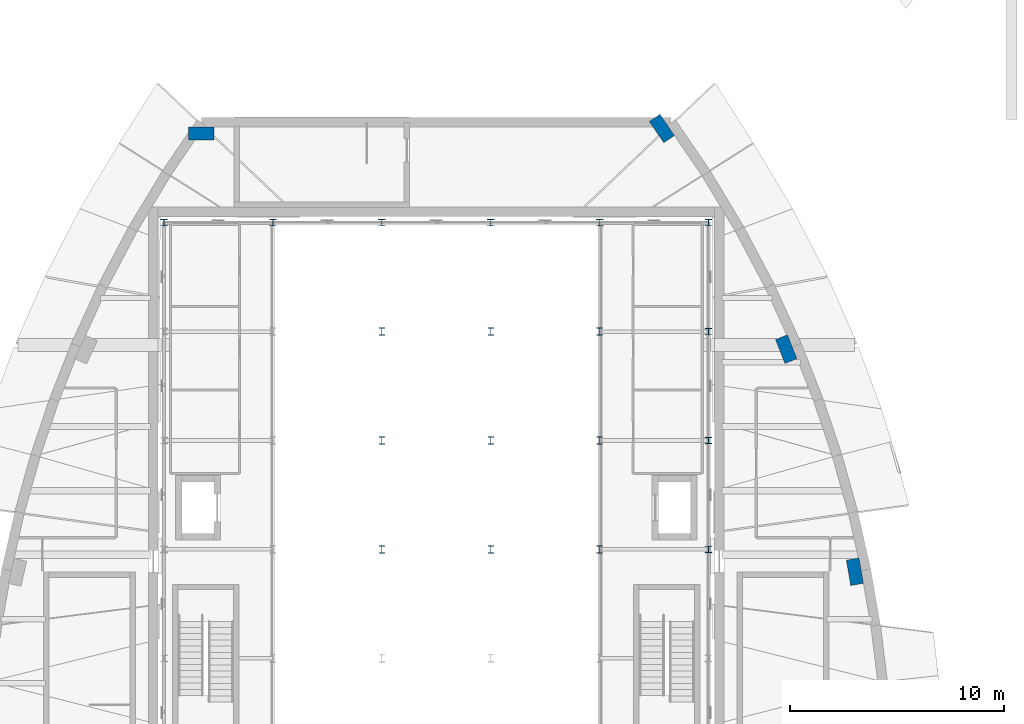
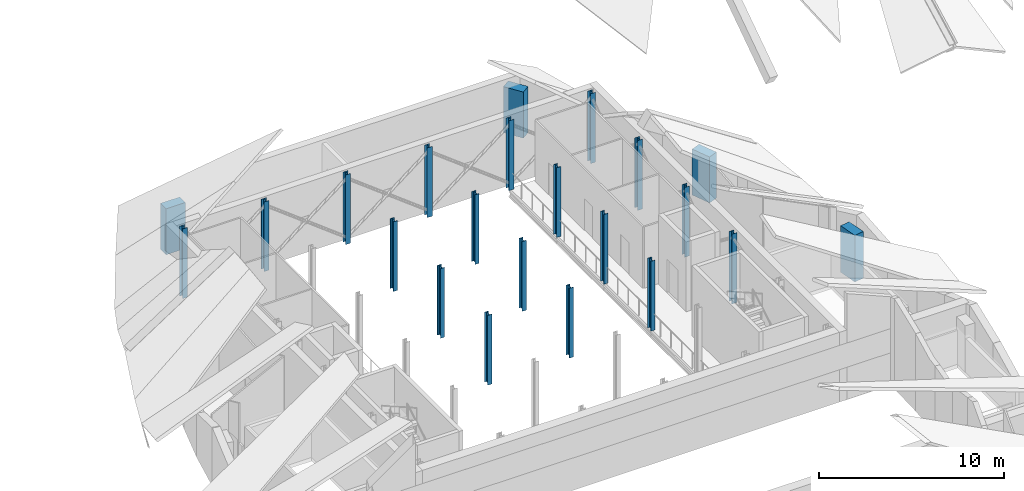
# One storey, part 4 of 17: 22 columns.
"""IFC4 building model written with IfcOpenShell, lengths in metres."""

from ifc_helpers import new_model, si_unit, direction, frame, origin, origin_2d, place, context, subcontext, project, spatial, rectangle, i_section, extrude, material, material_profile, profile_set, type_object, element, save


model = new_model("IFC4")

# Units and contexts
model_context = context("Model", 3, precision=1e-05, world=origin(), true_north=direction((0.0, 1.0)))
body_context = subcontext(model_context, "Body", "Model", "MODEL_VIEW")
ifc_project = project(units=[si_unit("LENGTHUNIT", "METRE"), si_unit("AREAUNIT", "SQUARE_METRE"), si_unit("VOLUMEUNIT", "CUBIC_METRE"), si_unit("PLANEANGLEUNIT", "RADIAN"), si_unit("MASSUNIT", "GRAM", prefix="KILO")], contexts=[model_context])

# Site, building, storey
site_placement = place(None, origin())
site = spatial("IfcSite", under=ifc_project, at=site_placement, CompositionType="ELEMENT")
building_placement = place(site_placement, origin())
building = spatial("IfcBuilding", under=site, at=building_placement, Name="Tide Square Theatres", CompositionType="ELEMENT")
storey_placement = place(building_placement, frame((0.0, 0.0, 14.800048828125)))
storey = spatial("IfcBuildingStorey", under=building, at=storey_placement, Name="L03", CompositionType="ELEMENT", Elevation=14.800048828125)

# Columns
ifc_material_1 = material(Name="Concrete C40", Category="concrete")
ifc_material_profile_1 = material_profile(ifc_material_1, rectangle(XDim=1.199951171875, YDim=0.60009765625, at=origin_2d()))
ifc_profile_set_1 = profile_set([ifc_material_profile_1], Name="Concrete C40")
column_type_1 = type_object("IfcColumnType", Name="RC pier 1200 x 600", PredefinedType="PILASTER", material=ifc_profile_set_1)
column_1_placement = place(storey_placement, frame((103.556884765625, 65.41357421875, 0.0), z_axis=(0.0, 0.0, 1.0), x_axis=(-0.171172540003, 0.985241067734, 0.0)))
element("IfcColumn", 1, at=column_1_placement, inside=storey, type_object=column_type_1, Name="Rib foot pier", PredefinedType="PILASTER", context=body_context, shape_type="SweptSolid", body=[
    extrude(rectangle(XDim=1.199951171875, YDim=0.60009765625, at=origin_2d()), origin(), (0.0, 0.0, 1.0), 3.070556640625),
])
column_2_placement = place(storey_placement, frame((100.348876953125, 75.814208984375, 0.0), z_axis=(0.0, 0.0, 1.0), x_axis=(-0.366955870742, 0.930238350601, 0.0)))
element("IfcColumn", 2, at=column_2_placement, inside=storey, type_object=column_type_1, Name="Rib foot pier", PredefinedType="PILASTER", context=body_context, shape_type="SweptSolid", body=[
    extrude(rectangle(XDim=1.199951171875, YDim=0.60009765625, at=origin_2d()), origin(), (0.0, 0.0, 1.0), 3.030029296875),
])
for number, where, z_axis, x_axis, name in (
    (3, (94.5400390625, 86.121826171875, 0.0), (0.0, 0.0, 1.0), (-0.562978035902, 0.82647185741, 0.0), "Rib foot pier"),
    (4, (73.02587890625, 85.892333984375, 0.0), (0.0, 0.0, 1.0), (-1.0, 0.0, 0.0), "Rib foot pier"),
):
    element("IfcColumn", number, at=place(storey_placement, frame(where, z_axis=z_axis, x_axis=x_axis)), inside=storey, type_object=column_type_1, Name=name, PredefinedType="PILASTER", context=body_context, shape_type="SweptSolid", body=[
        extrude(rectangle(XDim=1.199951171875, YDim=0.60009765625, at=origin_2d()), origin(), (0.0, 0.0, 1.0), 3.0380859375),
    ])
ifc_material_2 = material(Name="Steel ASTM A572 Grade 50", Category="steel")
ifc_material_profile_2 = material_profile(ifc_material_2, i_section(OverallWidth=0.31201171875, OverallDepth=0.31201171875, WebThickness=0.017333984375, FlangeThickness=0.017333984375, FilletRadius=0.01611328125, at=origin_2d()))
ifc_profile_set_2 = profile_set([ifc_material_profile_2], Name="Steel ASTM A572 Grade 50")
column_type_2 = type_object("IfcColumnType", Name="Steel column HP 310 x 125.0", PredefinedType="COLUMN", material=ifc_profile_set_2)
for number, where, z_axis, x_axis, name in (
    (5, (71.27587890625, 81.72412109375, 0.0), (0.0, 0.0, 1.0), (1.0, 0.0, 0.0), "Fly tower column"),
    (6, (76.365478515625, 81.72412109375, 0.0), (0.0, 0.0, 1.0), (1.0, 0.0, 0.0), "Fly tower column"),
    (7, (81.455078125, 81.72412109375, 0.0), (0.0, 0.0, 1.0), (1.0, 0.0, 0.0), "Fly tower column"),
    (8, (86.544921875, 81.72412109375, 0.0), (0.0, 0.0, 1.0), (1.0, 0.0, 0.0), "Fly tower column"),
    (9, (91.634521484375, 81.72412109375, 0.0), (0.0, 0.0, 1.0), (1.0, 0.0, 0.0), "Fly tower column"),
    (10, (96.72412109375, 66.455078125, 0.0), (0.0, 0.0, 1.0), (1.0, 0.0, 0.0), "Fly tower column"),
    (11, (96.72412109375, 71.544921875, 0.0), (0.0, 0.0, 1.0), (1.0, 0.0, 0.0), "Fly tower column"),
    (12, (96.72412109375, 76.634521484375, 0.0), (0.0, 0.0, 1.0), (1.0, 0.0, 0.0), "Fly tower column"),
    (13, (96.72412109375, 81.72412109375, 0.0), (0.0, 0.0, 1.0), (1.0, 0.0, 0.0), "Fly tower column"),
):
    element("IfcColumn", number, at=place(storey_placement, frame(where, z_axis=z_axis, x_axis=x_axis)), inside=storey, type_object=column_type_2, Name=name, PredefinedType="COLUMN", context=body_context, shape_type="SweptSolid", body=[
        extrude(i_section(OverallWidth=0.31201171875, OverallDepth=0.31201171875, WebThickness=0.017333984375, FlangeThickness=0.017333984375, FilletRadius=0.01611328125, at=origin_2d()), origin(), (0.0, 0.0, 1.0), 4.599853515625),
    ])
ifc_material_3 = material(Name="Steel ASTM A572 Grade 50", Category="steel")
ifc_material_profile_3 = material_profile(ifc_material_3, i_section(OverallWidth=0.257080078125, OverallDepth=0.363037109375, WebThickness=0.012939453125, FlangeThickness=0.021728515625, FilletRadius=0.01611328125, at=origin_2d()))
ifc_profile_set_3 = profile_set([ifc_material_profile_3], Name="Steel ASTM A572 Grade 50")
column_type_3 = type_object("IfcColumnType", Name="Steel column W 360 x 122.0", PredefinedType="COLUMN", material=ifc_profile_set_3)
for number, where, z_axis, x_axis, name in (
    (14, (81.455078125, 66.455078125, 0.0), (0.0, 0.0, 1.0), (1.0, 0.0, 0.0), "Fly tower column"),
    (15, (81.455078125, 71.544921875, 0.0), (0.0, 0.0, 1.0), (1.0, 0.0, 0.0), "Fly tower column"),
    (16, (81.455078125, 76.634521484375, 0.0), (0.0, 0.0, 1.0), (1.0, 0.0, 0.0), "Fly tower column"),
    (17, (86.544921875, 66.455078125, 0.0), (0.0, 0.0, 1.0), (1.0, 0.0, 0.0), "Fly tower column"),
    (18, (86.544921875, 71.544921875, 0.0), (0.0, 0.0, 1.0), (1.0, 0.0, 0.0), "Fly tower column"),
    (19, (86.544921875, 76.634521484375, 0.0), (0.0, 0.0, 1.0), (1.0, 0.0, 0.0), "Fly tower column"),
    (20, (91.634521484375, 66.455078125, 0.0), (0.0, 0.0, 1.0), (1.0, 0.0, 0.0), "Fly tower column"),
    (21, (91.634521484375, 71.544921875, 0.0), (0.0, 0.0, 1.0), (1.0, 0.0, 0.0), "Fly tower column"),
    (22, (91.634521484375, 76.634521484375, 0.0), (0.0, 0.0, 1.0), (1.0, 0.0, 0.0), "Fly tower column"),
):
    element("IfcColumn", number, at=place(storey_placement, frame(where, z_axis=z_axis, x_axis=x_axis)), inside=storey, type_object=column_type_3, Name=name, PredefinedType="COLUMN", context=body_context, shape_type="SweptSolid", body=[
        extrude(i_section(OverallWidth=0.257080078125, OverallDepth=0.363037109375, WebThickness=0.012939453125, FlangeThickness=0.021728515625, FilletRadius=0.01611328125, at=origin_2d()), origin(), (0.0, 0.0, 1.0), 4.599853515625),
    ])

save(model, "model.ifc")
